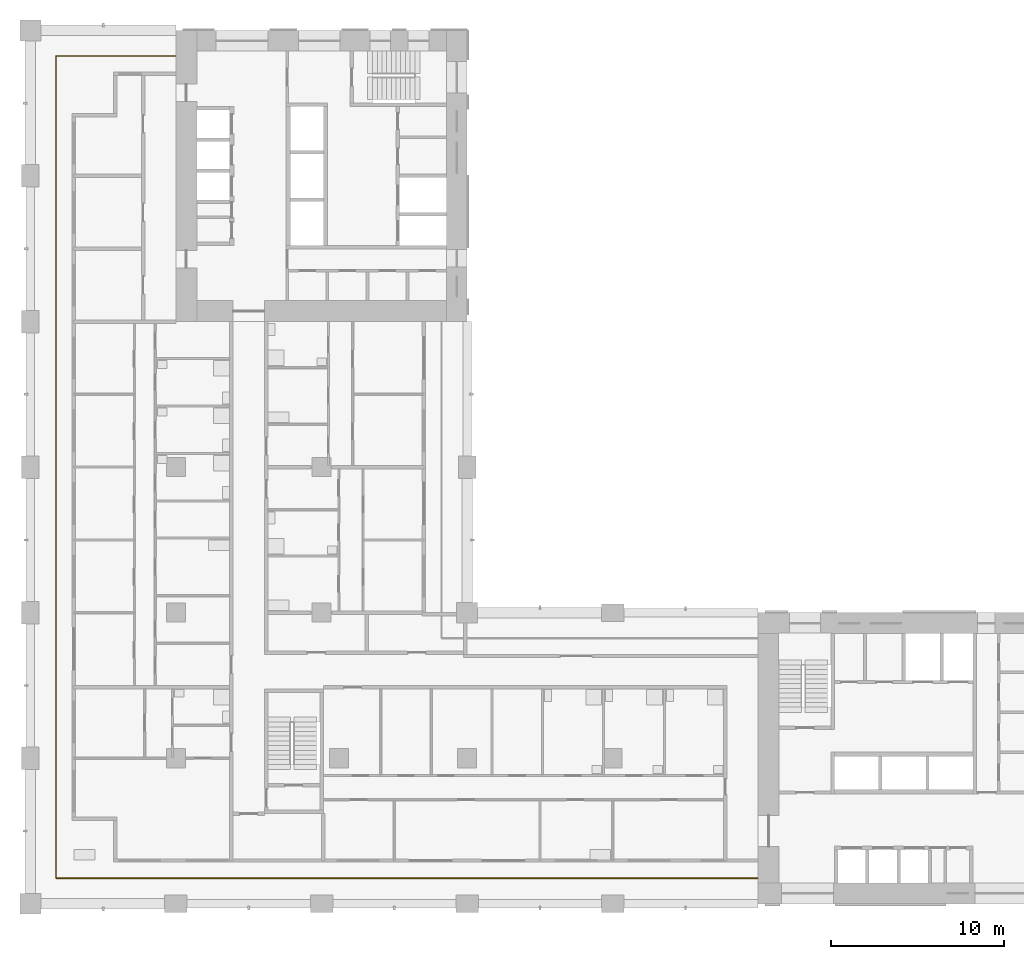
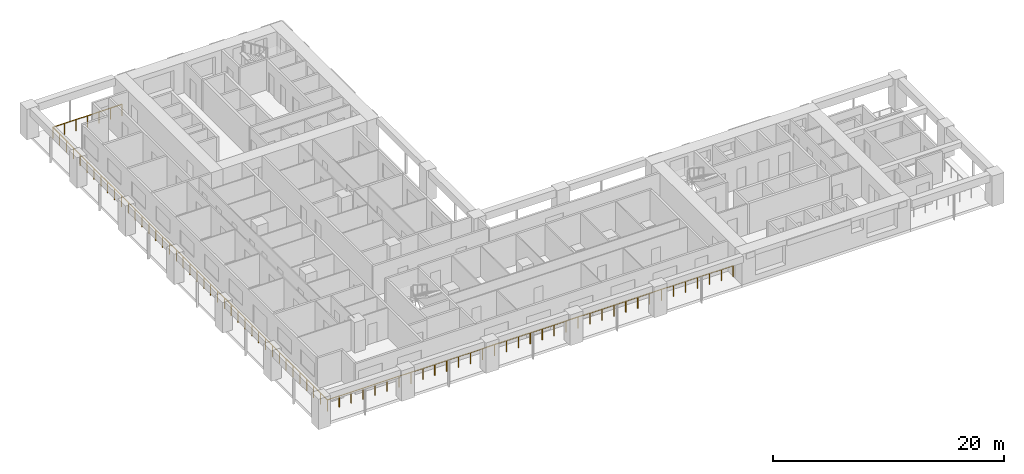
# One storey, part 11 of 17: 1 railing.
"""IFC4 building model written with IfcOpenShell, lengths in metres."""

from ifc_helpers import new_model, si_unit, direction, frame, origin, origin_2d, place, context, subcontext, project, spatial, circle, extrude, material, type_object, element, save


model = new_model("IFC4")

# Units and contexts
model_context = context("Model", 3, precision=1e-05, world=origin(), true_north=direction((0.0, 1.0)))
body_context = subcontext(model_context, "Body", "Model", "MODEL_VIEW")
ifc_project = project(units=[si_unit("LENGTHUNIT", "METRE"), si_unit("AREAUNIT", "SQUARE_METRE"), si_unit("VOLUMEUNIT", "CUBIC_METRE"), si_unit("PLANEANGLEUNIT", "RADIAN"), si_unit("MASSUNIT", "GRAM", prefix="KILO")], contexts=[model_context])

# Site, building, storey
site_placement = place(None, origin())
site = spatial("IfcSite", under=ifc_project, at=site_placement, CompositionType="ELEMENT")
building_placement = place(site_placement, origin())
building = spatial("IfcBuilding", under=site, at=building_placement, Name="Vermilion Gate Residences", CompositionType="ELEMENT")
storey_placement = place(building_placement, frame((0.0, 0.0, 91.699951171875)))
storey = spatial("IfcBuildingStorey", under=building, at=storey_placement, Name="L22", CompositionType="ELEMENT", Elevation=91.699951171875)

# Railing
ifc_material = material(Name="Stainless steel and toughened glass", Category="steel")
railing_type = type_object("IfcRailingType", Name="LOGGIA GUARD STEEL AND GLASS 1200", PredefinedType="GUARDRAIL", material=ifc_material)
railing_placement = place(storey_placement, frame((8.3779296875, 57.324951171875, 0.0)))
element("IfcRailing", 1, at=railing_placement, inside=storey, type_object=railing_type, Name="Loggia guard", PredefinedType="GUARDRAIL", context=body_context, shape_type="SweptSolid", body=[
    extrude(circle(Radius=0.030029296875, at=origin_2d()), frame((0.0, 0.0, 1.169921875), z_axis=(-1.0, 0.0, 0.0), x_axis=(0.0, -1.0, 0.0)), (0.0, 0.0, 1.0), 6.90283203125),
    extrude(circle(Radius=0.030029296875, at=origin_2d()), frame((-6.90283203125, 0.0, 1.169921875), z_axis=(0.0, -1.0, 0.0), x_axis=(1.0, 0.0, 0.0)), (0.0, 0.0, 1.0), 47.449951171875),
    extrude(circle(Radius=0.030029296875, at=origin_2d()), frame((-6.90283203125, -47.449951171875, 1.169921875), z_axis=(1.0, 0.0, 0.0), x_axis=(0.0, 1.0, 0.0)), (0.0, 0.0, 1.0), 40.5029296875),
    extrude(circle(Radius=0.02490234375, at=origin_2d()), origin(), (0.0, 0.0, 1.0), 1.139892578125),
    extrude(circle(Radius=0.02490234375, at=origin_2d()), frame((-1.150390625, 0.0, 0.0)), (0.0, 0.0, 1.0), 1.139892578125),
    extrude(circle(Radius=0.02490234375, at=origin_2d()), frame((-2.301025390625, 0.0, 0.0)), (0.0, 0.0, 1.0), 1.139892578125),
    extrude(circle(Radius=0.02490234375, at=origin_2d()), frame((-3.451416015625, 0.0, 0.0)), (0.0, 0.0, 1.0), 1.139892578125),
    extrude(circle(Radius=0.02490234375, at=origin_2d()), frame((-4.601806640625, 0.0, 0.0)), (0.0, 0.0, 1.0), 1.139892578125),
    extrude(circle(Radius=0.02490234375, at=origin_2d()), frame((-5.75244140625, 0.0, 0.0)), (0.0, 0.0, 1.0), 1.139892578125),
    extrude(circle(Radius=0.02490234375, at=origin_2d()), frame((-6.90283203125, 0.0, 0.0)), (0.0, 0.0, 1.0), 1.139892578125),
    extrude(circle(Radius=0.02490234375, at=origin_2d()), frame((-6.90283203125, -1.186279296875, 0.0)), (0.0, 0.0, 1.0), 1.139892578125),
    extrude(circle(Radius=0.02490234375, at=origin_2d()), frame((-6.90283203125, -2.37255859375, 0.0)), (0.0, 0.0, 1.0), 1.139892578125),
    extrude(circle(Radius=0.02490234375, at=origin_2d()), frame((-6.90283203125, -3.558837890625, 0.0)), (0.0, 0.0, 1.0), 1.139892578125),
    extrude(circle(Radius=0.02490234375, at=origin_2d()), frame((-6.90283203125, -4.7451171875, 0.0)), (0.0, 0.0, 1.0), 1.139892578125),
    extrude(circle(Radius=0.02490234375, at=origin_2d()), frame((-6.90283203125, -5.93115234375, 0.0)), (0.0, 0.0, 1.0), 1.139892578125),
    extrude(circle(Radius=0.02490234375, at=origin_2d()), frame((-6.90283203125, -7.117431640625, 0.0)), (0.0, 0.0, 1.0), 1.139892578125),
    extrude(circle(Radius=0.02490234375, at=origin_2d()), frame((-6.90283203125, -8.3037109375, 0.0)), (0.0, 0.0, 1.0), 1.139892578125),
    extrude(circle(Radius=0.02490234375, at=origin_2d()), frame((-6.90283203125, -9.489990234375, 0.0)), (0.0, 0.0, 1.0), 1.139892578125),
    extrude(circle(Radius=0.02490234375, at=origin_2d()), frame((-6.90283203125, -10.67626953125, 0.0)), (0.0, 0.0, 1.0), 1.139892578125),
    extrude(circle(Radius=0.02490234375, at=origin_2d()), frame((-6.90283203125, -11.862548828125, 0.0)), (0.0, 0.0, 1.0), 1.139892578125),
    extrude(circle(Radius=0.02490234375, at=origin_2d()), frame((-6.90283203125, -13.048828125, 0.0)), (0.0, 0.0, 1.0), 1.139892578125),
    extrude(circle(Radius=0.02490234375, at=origin_2d()), frame((-6.90283203125, -14.23486328125, 0.0)), (0.0, 0.0, 1.0), 1.139892578125),
    extrude(circle(Radius=0.02490234375, at=origin_2d()), frame((-6.90283203125, -15.421142578125, 0.0)), (0.0, 0.0, 1.0), 1.139892578125),
    extrude(circle(Radius=0.02490234375, at=origin_2d()), frame((-6.90283203125, -16.607421875, 0.0)), (0.0, 0.0, 1.0), 1.139892578125),
    extrude(circle(Radius=0.02490234375, at=origin_2d()), frame((-6.90283203125, -17.793701171875, 0.0)), (0.0, 0.0, 1.0), 1.139892578125),
    extrude(circle(Radius=0.02490234375, at=origin_2d()), frame((-6.90283203125, -18.97998046875, 0.0)), (0.0, 0.0, 1.0), 1.139892578125),
    extrude(circle(Radius=0.02490234375, at=origin_2d()), frame((-6.90283203125, -20.166259765625, 0.0)), (0.0, 0.0, 1.0), 1.139892578125),
    extrude(circle(Radius=0.02490234375, at=origin_2d()), frame((-6.90283203125, -21.3525390625, 0.0)), (0.0, 0.0, 1.0), 1.139892578125),
    extrude(circle(Radius=0.02490234375, at=origin_2d()), frame((-6.90283203125, -22.538818359375, 0.0)), (0.0, 0.0, 1.0), 1.139892578125),
    extrude(circle(Radius=0.02490234375, at=origin_2d()), frame((-6.90283203125, -23.72509765625, 0.0)), (0.0, 0.0, 1.0), 1.139892578125),
    extrude(circle(Radius=0.02490234375, at=origin_2d()), frame((-6.90283203125, -24.9111328125, 0.0)), (0.0, 0.0, 1.0), 1.139892578125),
    extrude(circle(Radius=0.02490234375, at=origin_2d()), frame((-6.90283203125, -26.097412109375, 0.0)), (0.0, 0.0, 1.0), 1.139892578125),
    extrude(circle(Radius=0.02490234375, at=origin_2d()), frame((-6.90283203125, -27.28369140625, 0.0)), (0.0, 0.0, 1.0), 1.139892578125),
    extrude(circle(Radius=0.02490234375, at=origin_2d()), frame((-6.90283203125, -28.469970703125, 0.0)), (0.0, 0.0, 1.0), 1.139892578125),
    extrude(circle(Radius=0.02490234375, at=origin_2d()), frame((-6.90283203125, -29.65625, 0.0)), (0.0, 0.0, 1.0), 1.139892578125),
    extrude(circle(Radius=0.02490234375, at=origin_2d()), frame((-6.90283203125, -30.842529296875, 0.0)), (0.0, 0.0, 1.0), 1.139892578125),
    extrude(circle(Radius=0.02490234375, at=origin_2d()), frame((-6.90283203125, -32.02880859375, 0.0)), (0.0, 0.0, 1.0), 1.139892578125),
    extrude(circle(Radius=0.02490234375, at=origin_2d()), frame((-6.90283203125, -33.21484375, 0.0)), (0.0, 0.0, 1.0), 1.139892578125),
    extrude(circle(Radius=0.02490234375, at=origin_2d()), frame((-6.90283203125, -34.401123046875, 0.0)), (0.0, 0.0, 1.0), 1.139892578125),
    extrude(circle(Radius=0.02490234375, at=origin_2d()), frame((-6.90283203125, -35.58740234375, 0.0)), (0.0, 0.0, 1.0), 1.139892578125),
    extrude(circle(Radius=0.02490234375, at=origin_2d()), frame((-6.90283203125, -36.773681640625, 0.0)), (0.0, 0.0, 1.0), 1.139892578125),
    extrude(circle(Radius=0.02490234375, at=origin_2d()), frame((-6.90283203125, -37.9599609375, 0.0)), (0.0, 0.0, 1.0), 1.139892578125),
    extrude(circle(Radius=0.02490234375, at=origin_2d()), frame((-6.90283203125, -39.146240234375, 0.0)), (0.0, 0.0, 1.0), 1.139892578125),
    extrude(circle(Radius=0.02490234375, at=origin_2d()), frame((-6.90283203125, -40.33251953125, 0.0)), (0.0, 0.0, 1.0), 1.139892578125),
    extrude(circle(Radius=0.02490234375, at=origin_2d()), frame((-6.90283203125, -41.518798828125, 0.0)), (0.0, 0.0, 1.0), 1.139892578125),
    extrude(circle(Radius=0.02490234375, at=origin_2d()), frame((-6.90283203125, -42.705078125, 0.0)), (0.0, 0.0, 1.0), 1.139892578125),
    extrude(circle(Radius=0.02490234375, at=origin_2d()), frame((-6.90283203125, -43.89111328125, 0.0)), (0.0, 0.0, 1.0), 1.139892578125),
    extrude(circle(Radius=0.02490234375, at=origin_2d()), frame((-6.90283203125, -45.077392578125, 0.0)), (0.0, 0.0, 1.0), 1.139892578125),
    extrude(circle(Radius=0.02490234375, at=origin_2d()), frame((-6.90283203125, -46.263671875, 0.0)), (0.0, 0.0, 1.0), 1.139892578125),
    extrude(circle(Radius=0.02490234375, at=origin_2d()), frame((-6.90283203125, -47.449951171875, 0.0)), (0.0, 0.0, 1.0), 1.139892578125),
    extrude(circle(Radius=0.02490234375, at=origin_2d()), frame((-5.711669921875, -47.449951171875, 0.0)), (0.0, 0.0, 1.0), 1.139892578125),
    extrude(circle(Radius=0.02490234375, at=origin_2d()), frame((-4.520263671875, -47.449951171875, 0.0)), (0.0, 0.0, 1.0), 1.139892578125),
    extrude(circle(Radius=0.02490234375, at=origin_2d()), frame((-3.3291015625, -47.449951171875, 0.0)), (0.0, 0.0, 1.0), 1.139892578125),
    extrude(circle(Radius=0.02490234375, at=origin_2d()), frame((-2.1376953125, -47.449951171875, 0.0)), (0.0, 0.0, 1.0), 1.139892578125),
    extrude(circle(Radius=0.02490234375, at=origin_2d()), frame((-0.946533203125, -47.449951171875, 0.0)), (0.0, 0.0, 1.0), 1.139892578125),
    extrude(circle(Radius=0.02490234375, at=origin_2d()), frame((0.24462890625, -47.449951171875, 0.0)), (0.0, 0.0, 1.0), 1.139892578125),
    extrude(circle(Radius=0.02490234375, at=origin_2d()), frame((1.43603515625, -47.449951171875, 0.0)), (0.0, 0.0, 1.0), 1.139892578125),
    extrude(circle(Radius=0.02490234375, at=origin_2d()), frame((2.627197265625, -47.449951171875, 0.0)), (0.0, 0.0, 1.0), 1.139892578125),
    extrude(circle(Radius=0.02490234375, at=origin_2d()), frame((3.818603515625, -47.449951171875, 0.0)), (0.0, 0.0, 1.0), 1.139892578125),
    extrude(circle(Radius=0.02490234375, at=origin_2d()), frame((5.009765625, -47.449951171875, 0.0)), (0.0, 0.0, 1.0), 1.139892578125),
    extrude(circle(Radius=0.02490234375, at=origin_2d()), frame((6.201171875, -47.449951171875, 0.0)), (0.0, 0.0, 1.0), 1.139892578125),
    extrude(circle(Radius=0.02490234375, at=origin_2d()), frame((7.392333984375, -47.449951171875, 0.0)), (0.0, 0.0, 1.0), 1.139892578125),
    extrude(circle(Radius=0.02490234375, at=origin_2d()), frame((8.58349609375, -47.449951171875, 0.0)), (0.0, 0.0, 1.0), 1.139892578125),
    extrude(circle(Radius=0.02490234375, at=origin_2d()), frame((9.77490234375, -47.449951171875, 0.0)), (0.0, 0.0, 1.0), 1.139892578125),
    extrude(circle(Radius=0.02490234375, at=origin_2d()), frame((10.966064453125, -47.449951171875, 0.0)), (0.0, 0.0, 1.0), 1.139892578125),
    extrude(circle(Radius=0.02490234375, at=origin_2d()), frame((12.157470703125, -47.449951171875, 0.0)), (0.0, 0.0, 1.0), 1.139892578125),
    extrude(circle(Radius=0.02490234375, at=origin_2d()), frame((13.3486328125, -47.449951171875, 0.0)), (0.0, 0.0, 1.0), 1.139892578125),
    extrude(circle(Radius=0.02490234375, at=origin_2d()), frame((14.539794921875, -47.449951171875, 0.0)), (0.0, 0.0, 1.0), 1.139892578125),
    extrude(circle(Radius=0.02490234375, at=origin_2d()), frame((15.731201171875, -47.449951171875, 0.0)), (0.0, 0.0, 1.0), 1.139892578125),
    extrude(circle(Radius=0.02490234375, at=origin_2d()), frame((16.92236328125, -47.449951171875, 0.0)), (0.0, 0.0, 1.0), 1.139892578125),
    extrude(circle(Radius=0.02490234375, at=origin_2d()), frame((18.11376953125, -47.449951171875, 0.0)), (0.0, 0.0, 1.0), 1.139892578125),
    extrude(circle(Radius=0.02490234375, at=origin_2d()), frame((19.304931640625, -47.449951171875, 0.0)), (0.0, 0.0, 1.0), 1.139892578125),
    extrude(circle(Radius=0.02490234375, at=origin_2d()), frame((20.49609375, -47.449951171875, 0.0)), (0.0, 0.0, 1.0), 1.139892578125),
    extrude(circle(Radius=0.02490234375, at=origin_2d()), frame((21.6875, -47.449951171875, 0.0)), (0.0, 0.0, 1.0), 1.139892578125),
    extrude(circle(Radius=0.02490234375, at=origin_2d()), frame((22.878662109375, -47.449951171875, 0.0)), (0.0, 0.0, 1.0), 1.139892578125),
    extrude(circle(Radius=0.02490234375, at=origin_2d()), frame((24.070068359375, -47.449951171875, 0.0)), (0.0, 0.0, 1.0), 1.139892578125),
    extrude(circle(Radius=0.02490234375, at=origin_2d()), frame((25.26123046875, -47.449951171875, 0.0)), (0.0, 0.0, 1.0), 1.139892578125),
    extrude(circle(Radius=0.02490234375, at=origin_2d()), frame((26.45263671875, -47.449951171875, 0.0)), (0.0, 0.0, 1.0), 1.139892578125),
    extrude(circle(Radius=0.02490234375, at=origin_2d()), frame((27.643798828125, -47.449951171875, 0.0)), (0.0, 0.0, 1.0), 1.139892578125),
    extrude(circle(Radius=0.02490234375, at=origin_2d()), frame((28.8349609375, -47.449951171875, 0.0)), (0.0, 0.0, 1.0), 1.139892578125),
    extrude(circle(Radius=0.02490234375, at=origin_2d()), frame((30.0263671875, -47.449951171875, 0.0)), (0.0, 0.0, 1.0), 1.139892578125),
    extrude(circle(Radius=0.02490234375, at=origin_2d()), frame((31.217529296875, -47.449951171875, 0.0)), (0.0, 0.0, 1.0), 1.139892578125),
    extrude(circle(Radius=0.02490234375, at=origin_2d()), frame((32.408935546875, -47.449951171875, 0.0)), (0.0, 0.0, 1.0), 1.139892578125),
    extrude(circle(Radius=0.02490234375, at=origin_2d()), frame((33.60009765625, -47.449951171875, 0.0)), (0.0, 0.0, 1.0), 1.139892578125),
])

save(model, "model.ifc")
